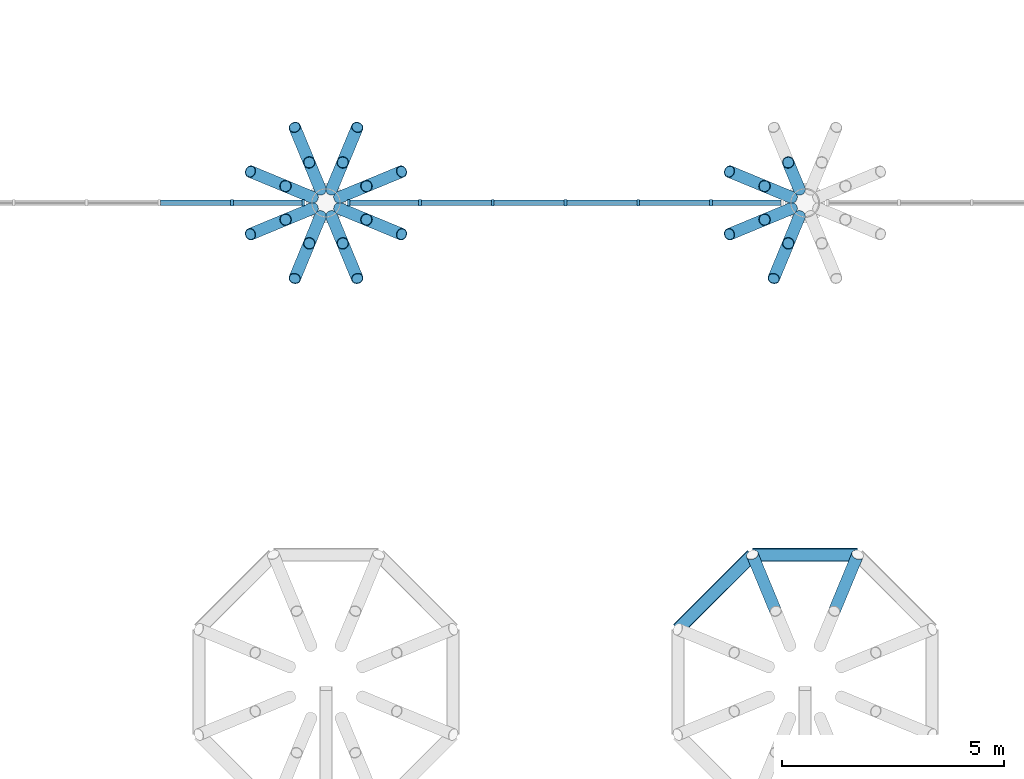
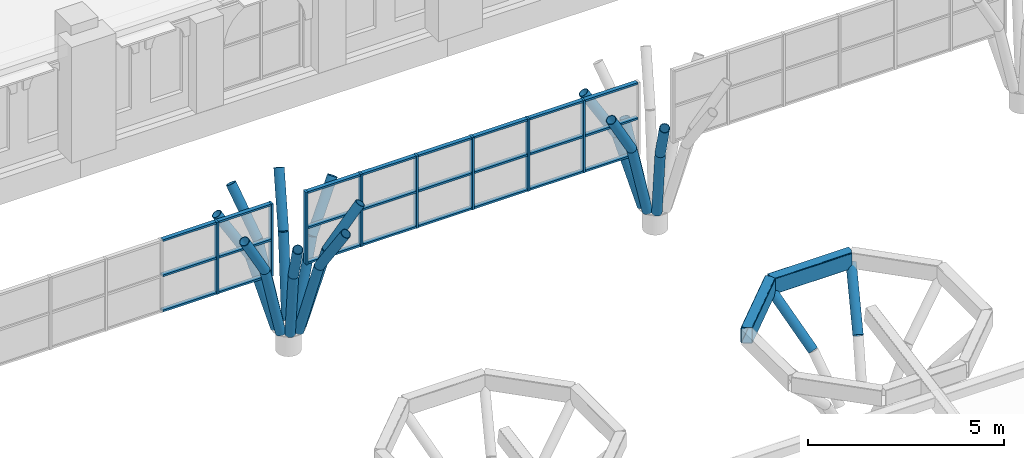
# One storey, part 9 of 42: 57 members, 2 beams, 2 elements without a shape of their own.
"""IFC4 building model written with IfcOpenShell, lengths in metres."""

from ifc_helpers import new_model, si_unit, direction, frame, origin, origin_2d, place, context, subcontext, project, spatial, rectangle, hollow_rectangle, hollow_circle, extrude, clip, halfspace, material, layer, layer_set, material_profile, profile_set, type_object, element, aggregate, save


model = new_model("IFC4")

# Units and contexts
model_context = context("Model", 3, precision=1e-05, world=origin(), true_north=direction((0.0, 1.0)))
body_context = subcontext(model_context, "Body", "Model", "MODEL_VIEW")
ifc_project = project(units=[si_unit("LENGTHUNIT", "METRE"), si_unit("AREAUNIT", "SQUARE_METRE"), si_unit("VOLUMEUNIT", "CUBIC_METRE"), si_unit("PLANEANGLEUNIT", "RADIAN"), si_unit("MASSUNIT", "GRAM", prefix="KILO")], contexts=[model_context])

# Site, building, storey
site_placement = place(None, origin())
site = spatial("IfcSite", under=ifc_project, at=site_placement, CompositionType="ELEMENT")
building_placement = place(site_placement, origin())
building = spatial("IfcBuilding", under=site, at=building_placement, Name="Magnolia Steps Interchange", CompositionType="ELEMENT")
storey_placement = place(building_placement, frame((0.0, 0.0, 12.60009765625)))
storey = spatial("IfcBuildingStorey", under=building, at=storey_placement, Name="L03", CompositionType="ELEMENT", Elevation=12.60009765625)

# Curtain wall, members
ifc_material_1 = material(Name="Powder-coated aluminium and glass", Category="aluminium")
ifc_layer = layer(ifc_material_1, 0.1201171875)
ifc_layer_set = layer_set([ifc_layer], Name="Hall clerestory curtain wall")
curtain_wall_type = type_object("IfcCurtainWallType", Name="Hall clerestory curtain wall", PredefinedType="NOTDEFINED", material=ifc_layer_set)
curtain_wall_1_placement = place(storey_placement, origin())
curtain_wall_1 = element("IfcCurtainWall", 1, at=curtain_wall_1_placement, inside=storey, type_object=curtain_wall_type, Name="Hall clerestory N3", PredefinedType="NOTDEFINED")
ifc_material_2 = material(Name="White powder-coated aluminium", Category="aluminium")
ifc_material_profile_1 = material_profile(ifc_material_2, rectangle(XDim=0.06005859375, YDim=0.14990234375, at=origin_2d()), Name="Aluminium mullion 60 x 150")
ifc_profile_set_1 = profile_set([ifc_material_profile_1], Name="White powder-coated aluminium")
member_type_1 = type_object("IfcMemberType", Name="Aluminium mullion 60 x 150", PredefinedType="MULLION", material=ifc_profile_set_1)
member_1_placement = place(storey_placement, frame((83.47998046875, 85.60009765625, 2.5), z_axis=(0.0, 0.0, 1.0), x_axis=(1.0, 0.0, 0.0)))
member_1 = element("IfcMember", 2, at=member_1_placement, type_object=member_type_1, Name="CW6 mullion 6", PredefinedType="MULLION", context=body_context, shape_type="SweptSolid", body=[
    extrude(rectangle(XDim=0.06005859375, YDim=0.14990234375, at=origin_2d()), origin(), (0.0, 0.0, 1.0), 2.251220703125),
])
member_2_placement = place(storey_placement, frame((85.090087890625, 85.60009765625, 2.5), z_axis=(0.0, 0.0, 1.0), x_axis=(1.0, 0.0, 0.0)))
member_2 = element("IfcMember", 3, at=member_2_placement, type_object=member_type_1, Name="CW6 mullion 7", PredefinedType="MULLION", context=body_context, shape_type="SweptSolid", body=[
    extrude(rectangle(XDim=0.06005859375, YDim=0.14990234375, at=origin_2d()), origin(), (0.0, 0.0, 1.0), 2.251220703125),
])

curtain_wall_2_placement = place(storey_placement, origin())
curtain_wall_2 = element("IfcCurtainWall", 4, at=curtain_wall_2_placement, inside=storey, type_object=curtain_wall_type, Name="Hall clerestory N4", PredefinedType="NOTDEFINED")
member_3_placement = place(storey_placement, frame((86.110107421875, 85.60009765625, 2.5), z_axis=(0.0, 0.0, 1.0), x_axis=(1.0, 0.0, 0.0)))
member_3 = element("IfcMember", 5, at=member_3_placement, type_object=member_type_1, Name="CW6 mullion 1", PredefinedType="MULLION", context=body_context, shape_type="SweptSolid", body=[
    extrude(rectangle(XDim=0.06005859375, YDim=0.14990234375, at=origin_2d()), origin(), (0.0, 0.0, 1.0), 2.251220703125),
])
member_4_placement = place(storey_placement, frame((87.719970703125, 85.60009765625, 2.5), z_axis=(0.0, 0.0, 1.0), x_axis=(1.0, 0.0, 0.0)))
member_4 = element("IfcMember", 6, at=member_4_placement, type_object=member_type_1, Name="CW6 mullion 2", PredefinedType="MULLION", context=body_context, shape_type="SweptSolid", body=[
    extrude(rectangle(XDim=0.06005859375, YDim=0.14990234375, at=origin_2d()), origin(), (0.0, 0.0, 1.0), 2.251220703125),
])
member_5_placement = place(storey_placement, frame((89.360107421875, 85.60009765625, 2.5), z_axis=(0.0, 0.0, 1.0), x_axis=(1.0, 0.0, 0.0)))
member_5 = element("IfcMember", 7, at=member_5_placement, type_object=member_type_1, Name="CW6 mullion 3", PredefinedType="MULLION", context=body_context, shape_type="SweptSolid", body=[
    extrude(rectangle(XDim=0.06005859375, YDim=0.14990234375, at=origin_2d()), origin(), (0.0, 0.0, 1.0), 2.251220703125),
])
member_6_placement = place(storey_placement, frame((91.0, 85.60009765625, 2.5), z_axis=(0.0, 0.0, 1.0), x_axis=(1.0, 0.0, 0.0)))
member_6 = element("IfcMember", 8, at=member_6_placement, type_object=member_type_1, Name="CW6 mullion 4", PredefinedType="MULLION", context=body_context, shape_type="SweptSolid", body=[
    extrude(rectangle(XDim=0.06005859375, YDim=0.14990234375, at=origin_2d()), origin(), (0.0, 0.0, 1.0), 2.251220703125),
])
member_7_placement = place(storey_placement, frame((92.639892578125, 85.60009765625, 2.5), z_axis=(0.0, 0.0, 1.0), x_axis=(1.0, 0.0, 0.0)))
member_7 = element("IfcMember", 9, at=member_7_placement, type_object=member_type_1, Name="CW6 mullion 5", PredefinedType="MULLION", context=body_context, shape_type="SweptSolid", body=[
    extrude(rectangle(XDim=0.06005859375, YDim=0.14990234375, at=origin_2d()), origin(), (0.0, 0.0, 1.0), 2.251220703125),
])
member_8_placement = place(storey_placement, frame((94.280029296875, 85.60009765625, 2.5), z_axis=(0.0, 0.0, 1.0), x_axis=(1.0, 0.0, 0.0)))
member_8 = element("IfcMember", 10, at=member_8_placement, type_object=member_type_1, Name="CW6 mullion 6", PredefinedType="MULLION", context=body_context, shape_type="SweptSolid", body=[
    extrude(rectangle(XDim=0.06005859375, YDim=0.14990234375, at=origin_2d()), origin(), (0.0, 0.0, 1.0), 2.251220703125),
])

# Member
ifc_material_3 = material(Name="White powder-coated aluminium", Category="aluminium")
ifc_material_profile_2 = material_profile(ifc_material_3, rectangle(XDim=0.06005859375, YDim=0.1201171875, at=origin_2d()), Name="Aluminium transom 60 x 120")
ifc_profile_set_2 = profile_set([ifc_material_profile_2], Name="White powder-coated aluminium")
member_type_2 = type_object("IfcMemberType", Name="Aluminium transom 60 x 120", PredefinedType="USERDEFINED", material=ifc_profile_set_2)
member_9_placement = place(storey_placement, frame((81.8701171875, 85.60009765625, 2.52978515625), z_axis=(1.0, 0.0, 0.0), x_axis=(0.0, 0.0, 1.0)))
member_9 = element("IfcMember", 11, at=member_9_placement, type_object=member_type_2, Name="CW6 transom 5.1", ObjectType="TRANSOM", PredefinedType="USERDEFINED", context=body_context, shape_type="SweptSolid", body=[
    extrude(rectangle(XDim=0.06005859375, YDim=0.1201171875, at=origin_2d()), origin(), (0.0, 0.0, 1.0), 1.579833984375),
])

member_10_placement = place(storey_placement, frame((81.8701171875, 85.60009765625, 3.62548828125), z_axis=(1.0, 0.0, 0.0), x_axis=(0.0, 0.0, 1.0)))
member_10 = element("IfcMember", 12, at=member_10_placement, type_object=member_type_2, Name="CW6 transom 5.2", ObjectType="TRANSOM", PredefinedType="USERDEFINED", context=body_context, shape_type="SweptSolid", body=[
    extrude(rectangle(XDim=0.06005859375, YDim=0.1201171875, at=origin_2d()), origin(), (0.0, 0.0, 1.0), 1.579833984375),
])

member_11_placement = place(storey_placement, frame((81.8701171875, 85.60009765625, 4.72119140625), z_axis=(1.0, 0.0, 0.0), x_axis=(0.0, 0.0, 1.0)))
member_11 = element("IfcMember", 13, at=member_11_placement, type_object=member_type_2, Name="CW6 transom 5.3", ObjectType="TRANSOM", PredefinedType="USERDEFINED", context=body_context, shape_type="SweptSolid", body=[
    extrude(rectangle(XDim=0.06005859375, YDim=0.1201171875, at=origin_2d()), origin(), (0.0, 0.0, 1.0), 1.579833984375),
])

member_12_placement = place(storey_placement, frame((83.510009765625, 85.60009765625, 2.52978515625), z_axis=(1.0, 0.0, 0.0), x_axis=(0.0, 0.0, 1.0)))
member_12 = element("IfcMember", 14, at=member_12_placement, type_object=member_type_2, Name="CW6 transom 6.1", ObjectType="TRANSOM", PredefinedType="USERDEFINED", context=body_context, shape_type="SweptSolid", body=[
    extrude(rectangle(XDim=0.06005859375, YDim=0.1201171875, at=origin_2d()), origin(), (0.0, 0.0, 1.0), 1.550048828125),
])

member_13_placement = place(storey_placement, frame((83.510009765625, 85.60009765625, 3.62548828125), z_axis=(1.0, 0.0, 0.0), x_axis=(0.0, 0.0, 1.0)))
member_13 = element("IfcMember", 15, at=member_13_placement, type_object=member_type_2, Name="CW6 transom 6.2", ObjectType="TRANSOM", PredefinedType="USERDEFINED", context=body_context, shape_type="SweptSolid", body=[
    extrude(rectangle(XDim=0.06005859375, YDim=0.1201171875, at=origin_2d()), origin(), (0.0, 0.0, 1.0), 1.550048828125),
])

member_14_placement = place(storey_placement, frame((83.510009765625, 85.60009765625, 4.72119140625), z_axis=(1.0, 0.0, 0.0), x_axis=(0.0, 0.0, 1.0)))
member_14 = element("IfcMember", 16, at=member_14_placement, type_object=member_type_2, Name="CW6 transom 6.3", ObjectType="TRANSOM", PredefinedType="USERDEFINED", context=body_context, shape_type="SweptSolid", body=[
    extrude(rectangle(XDim=0.06005859375, YDim=0.1201171875, at=origin_2d()), origin(), (0.0, 0.0, 1.0), 1.550048828125),
])

aggregate(curtain_wall_1, [member_1, member_2, member_9, member_10, member_11, member_12, member_13, member_14])

member_15_placement = place(storey_placement, frame((86.139892578125, 85.60009765625, 2.52978515625), z_axis=(1.0, 0.0, 0.0), x_axis=(0.0, 0.0, 1.0)))
member_15 = element("IfcMember", 17, at=member_15_placement, type_object=member_type_2, Name="CW6 transom 1.1", ObjectType="TRANSOM", PredefinedType="USERDEFINED", context=body_context, shape_type="SweptSolid", body=[
    extrude(rectangle(XDim=0.06005859375, YDim=0.1201171875, at=origin_2d()), origin(), (0.0, 0.0, 1.0), 1.550048828125),
])

member_16_placement = place(storey_placement, frame((86.139892578125, 85.60009765625, 3.62548828125), z_axis=(1.0, 0.0, 0.0), x_axis=(0.0, 0.0, 1.0)))
member_16 = element("IfcMember", 18, at=member_16_placement, type_object=member_type_2, Name="CW6 transom 1.2", ObjectType="TRANSOM", PredefinedType="USERDEFINED", context=body_context, shape_type="SweptSolid", body=[
    extrude(rectangle(XDim=0.06005859375, YDim=0.1201171875, at=origin_2d()), origin(), (0.0, 0.0, 1.0), 1.550048828125),
])

member_17_placement = place(storey_placement, frame((86.139892578125, 85.60009765625, 4.72119140625), z_axis=(1.0, 0.0, 0.0), x_axis=(0.0, 0.0, 1.0)))
member_17 = element("IfcMember", 19, at=member_17_placement, type_object=member_type_2, Name="CW6 transom 1.3", ObjectType="TRANSOM", PredefinedType="USERDEFINED", context=body_context, shape_type="SweptSolid", body=[
    extrude(rectangle(XDim=0.06005859375, YDim=0.1201171875, at=origin_2d()), origin(), (0.0, 0.0, 1.0), 1.550048828125),
])

member_18_placement = place(storey_placement, frame((87.75, 85.60009765625, 2.52978515625), z_axis=(1.0, 0.0, 0.0), x_axis=(0.0, 0.0, 1.0)))
member_18 = element("IfcMember", 20, at=member_18_placement, type_object=member_type_2, Name="CW6 transom 2.1", ObjectType="TRANSOM", PredefinedType="USERDEFINED", context=body_context, shape_type="SweptSolid", body=[
    extrude(rectangle(XDim=0.06005859375, YDim=0.1201171875, at=origin_2d()), origin(), (0.0, 0.0, 1.0), 1.580078125),
])

member_19_placement = place(storey_placement, frame((87.75, 85.60009765625, 3.62548828125), z_axis=(1.0, 0.0, 0.0), x_axis=(0.0, 0.0, 1.0)))
member_19 = element("IfcMember", 21, at=member_19_placement, type_object=member_type_2, Name="CW6 transom 2.2", ObjectType="TRANSOM", PredefinedType="USERDEFINED", context=body_context, shape_type="SweptSolid", body=[
    extrude(rectangle(XDim=0.06005859375, YDim=0.1201171875, at=origin_2d()), origin(), (0.0, 0.0, 1.0), 1.580078125),
])

member_20_placement = place(storey_placement, frame((87.75, 85.60009765625, 4.72119140625), z_axis=(1.0, 0.0, 0.0), x_axis=(0.0, 0.0, 1.0)))
member_20 = element("IfcMember", 22, at=member_20_placement, type_object=member_type_2, Name="CW6 transom 2.3", ObjectType="TRANSOM", PredefinedType="USERDEFINED", context=body_context, shape_type="SweptSolid", body=[
    extrude(rectangle(XDim=0.06005859375, YDim=0.1201171875, at=origin_2d()), origin(), (0.0, 0.0, 1.0), 1.580078125),
])

member_21_placement = place(storey_placement, frame((89.389892578125, 85.60009765625, 2.52978515625), z_axis=(1.0, 0.0, 0.0), x_axis=(0.0, 0.0, 1.0)))
member_21 = element("IfcMember", 23, at=member_21_placement, type_object=member_type_2, Name="CW6 transom 3.1", ObjectType="TRANSOM", PredefinedType="USERDEFINED", context=body_context, shape_type="SweptSolid", body=[
    extrude(rectangle(XDim=0.06005859375, YDim=0.1201171875, at=origin_2d()), origin(), (0.0, 0.0, 1.0), 1.580078125),
])

member_22_placement = place(storey_placement, frame((89.389892578125, 85.60009765625, 3.62548828125), z_axis=(1.0, 0.0, 0.0), x_axis=(0.0, 0.0, 1.0)))
member_22 = element("IfcMember", 24, at=member_22_placement, type_object=member_type_2, Name="CW6 transom 3.2", ObjectType="TRANSOM", PredefinedType="USERDEFINED", context=body_context, shape_type="SweptSolid", body=[
    extrude(rectangle(XDim=0.06005859375, YDim=0.1201171875, at=origin_2d()), origin(), (0.0, 0.0, 1.0), 1.580078125),
])

member_23_placement = place(storey_placement, frame((89.389892578125, 85.60009765625, 4.72119140625), z_axis=(1.0, 0.0, 0.0), x_axis=(0.0, 0.0, 1.0)))
member_23 = element("IfcMember", 25, at=member_23_placement, type_object=member_type_2, Name="CW6 transom 3.3", ObjectType="TRANSOM", PredefinedType="USERDEFINED", context=body_context, shape_type="SweptSolid", body=[
    extrude(rectangle(XDim=0.06005859375, YDim=0.1201171875, at=origin_2d()), origin(), (0.0, 0.0, 1.0), 1.580078125),
])

member_24_placement = place(storey_placement, frame((91.030029296875, 85.60009765625, 2.52978515625), z_axis=(1.0, 0.0, 0.0), x_axis=(0.0, 0.0, 1.0)))
member_24 = element("IfcMember", 26, at=member_24_placement, type_object=member_type_2, Name="CW6 transom 4.1", ObjectType="TRANSOM", PredefinedType="USERDEFINED", context=body_context, shape_type="SweptSolid", body=[
    extrude(rectangle(XDim=0.06005859375, YDim=0.1201171875, at=origin_2d()), origin(), (0.0, 0.0, 1.0), 1.580078125),
])

member_25_placement = place(storey_placement, frame((91.030029296875, 85.60009765625, 3.62548828125), z_axis=(1.0, 0.0, 0.0), x_axis=(0.0, 0.0, 1.0)))
member_25 = element("IfcMember", 27, at=member_25_placement, type_object=member_type_2, Name="CW6 transom 4.2", ObjectType="TRANSOM", PredefinedType="USERDEFINED", context=body_context, shape_type="SweptSolid", body=[
    extrude(rectangle(XDim=0.06005859375, YDim=0.1201171875, at=origin_2d()), origin(), (0.0, 0.0, 1.0), 1.580078125),
])

member_26_placement = place(storey_placement, frame((91.030029296875, 85.60009765625, 4.72119140625), z_axis=(1.0, 0.0, 0.0), x_axis=(0.0, 0.0, 1.0)))
member_26 = element("IfcMember", 28, at=member_26_placement, type_object=member_type_2, Name="CW6 transom 4.3", ObjectType="TRANSOM", PredefinedType="USERDEFINED", context=body_context, shape_type="SweptSolid", body=[
    extrude(rectangle(XDim=0.06005859375, YDim=0.1201171875, at=origin_2d()), origin(), (0.0, 0.0, 1.0), 1.580078125),
])

member_27_placement = place(storey_placement, frame((92.669921875, 85.60009765625, 2.52978515625), z_axis=(1.0, 0.0, 0.0), x_axis=(0.0, 0.0, 1.0)))
member_27 = element("IfcMember", 29, at=member_27_placement, type_object=member_type_2, Name="CW6 transom 5.1", ObjectType="TRANSOM", PredefinedType="USERDEFINED", context=body_context, shape_type="SweptSolid", body=[
    extrude(rectangle(XDim=0.06005859375, YDim=0.1201171875, at=origin_2d()), origin(), (0.0, 0.0, 1.0), 1.580078125),
])

member_28_placement = place(storey_placement, frame((92.669921875, 85.60009765625, 3.62548828125), z_axis=(1.0, 0.0, 0.0), x_axis=(0.0, 0.0, 1.0)))
member_28 = element("IfcMember", 30, at=member_28_placement, type_object=member_type_2, Name="CW6 transom 5.2", ObjectType="TRANSOM", PredefinedType="USERDEFINED", context=body_context, shape_type="SweptSolid", body=[
    extrude(rectangle(XDim=0.06005859375, YDim=0.1201171875, at=origin_2d()), origin(), (0.0, 0.0, 1.0), 1.580078125),
])

member_29_placement = place(storey_placement, frame((92.669921875, 85.60009765625, 4.72119140625), z_axis=(1.0, 0.0, 0.0), x_axis=(0.0, 0.0, 1.0)))
member_29 = element("IfcMember", 31, at=member_29_placement, type_object=member_type_2, Name="CW6 transom 5.3", ObjectType="TRANSOM", PredefinedType="USERDEFINED", context=body_context, shape_type="SweptSolid", body=[
    extrude(rectangle(XDim=0.06005859375, YDim=0.1201171875, at=origin_2d()), origin(), (0.0, 0.0, 1.0), 1.580078125),
])

member_30_placement = place(storey_placement, frame((94.31005859375, 85.60009765625, 2.52978515625), z_axis=(1.0, 0.0, 0.0), x_axis=(0.0, 0.0, 1.0)))
member_30 = element("IfcMember", 32, at=member_30_placement, type_object=member_type_2, Name="CW6 transom 6.1", ObjectType="TRANSOM", PredefinedType="USERDEFINED", context=body_context, shape_type="SweptSolid", body=[
    extrude(rectangle(XDim=0.06005859375, YDim=0.1201171875, at=origin_2d()), origin(), (0.0, 0.0, 1.0), 1.550048828125),
])

member_31_placement = place(storey_placement, frame((94.31005859375, 85.60009765625, 3.62548828125), z_axis=(1.0, 0.0, 0.0), x_axis=(0.0, 0.0, 1.0)))
member_31 = element("IfcMember", 33, at=member_31_placement, type_object=member_type_2, Name="CW6 transom 6.2", ObjectType="TRANSOM", PredefinedType="USERDEFINED", context=body_context, shape_type="SweptSolid", body=[
    extrude(rectangle(XDim=0.06005859375, YDim=0.1201171875, at=origin_2d()), origin(), (0.0, 0.0, 1.0), 1.550048828125),
])

member_32_placement = place(storey_placement, frame((94.31005859375, 85.60009765625, 4.72119140625), z_axis=(1.0, 0.0, 0.0), x_axis=(0.0, 0.0, 1.0)))
member_32 = element("IfcMember", 34, at=member_32_placement, type_object=member_type_2, Name="CW6 transom 6.3", ObjectType="TRANSOM", PredefinedType="USERDEFINED", context=body_context, shape_type="SweptSolid", body=[
    extrude(rectangle(XDim=0.06005859375, YDim=0.1201171875, at=origin_2d()), origin(), (0.0, 0.0, 1.0), 1.550048828125),
])

aggregate(curtain_wall_2, [member_3, member_4, member_5, member_6, member_7, member_8, member_15, member_16, member_17, member_18, member_19, member_20, member_21, member_22, member_23, member_24, member_25, member_26, member_27, member_28, member_29, member_30, member_31, member_32])

# Beams
ifc_material_4 = material(Name="Steel Q355B", Category="steel")
ifc_material_profile_3 = material_profile(ifc_material_4, hollow_rectangle(XDim=0.300048828125, YDim=0.5, WallThickness=0.01611328125, InnerFilletRadius=0.01611328125, OuterFilletRadius=0.031982421875, at=origin_2d()), Name="RHS500x300x16")
ifc_profile_set_3 = profile_set([ifc_material_profile_3], Name="Steel Q355B")
beam_type = type_object("IfcBeamType", Name="Ring beam RHS500x300x16", PredefinedType="BEAM", material=ifc_profile_set_3)
beam_1_placement = place(storey_placement, frame((97.586181640625, 77.6640625, 3.4755859375), z_axis=(-1.0, 0.0, 0.0), x_axis=(0.0, -1.0, 0.0)))
element("IfcBeam", 35, at=beam_1_placement, inside=storey, type_object=beam_type, Name="Ring beam TH05D", PredefinedType="BEAM", context=body_context, shape_type="Clipping", body=[
    clip(clip(extrude(hollow_rectangle(XDim=0.300048828125, YDim=0.5, WallThickness=0.01611328125, InnerFilletRadius=0.01611328125, OuterFilletRadius=0.031982421875, at=origin_2d()), origin(), (0.0, 0.0, 1.0), 2.37255859375), halfspace(frame((0.0, 0.0, 0.0), z_axis=(0.382683432, 0.0, -0.923879533), x_axis=(0.923879533, 0.0, 0.382683432)), False)), halfspace(frame((0.0, 0.0, 2.372558594), z_axis=(0.382683432, 0.0, 0.923879533), x_axis=(0.923879533, 0.0, -0.382683432)), False)),
])
beam_2_placement = place(storey_placement, frame((95.213623046875, 77.6640625, 3.4755859375), z_axis=(-0.707106781187, -0.707106781187, 0.0), x_axis=(0.707106781187, -0.707106781187, 0.0)))
element("IfcBeam", 36, at=beam_2_placement, inside=storey, type_object=beam_type, Name="Ring beam TH05D", PredefinedType="BEAM", context=body_context, shape_type="Clipping", body=[
    clip(clip(extrude(hollow_rectangle(XDim=0.300048828125, YDim=0.5, WallThickness=0.01611328125, InnerFilletRadius=0.01611328125, OuterFilletRadius=0.031982421875, at=origin_2d()), origin(), (0.0, 0.0, 1.0), 2.37255859375), halfspace(frame((0.0, 0.0, 0.0), z_axis=(0.382683433, 0.0, -0.923879532), x_axis=(0.923879532, 0.0, 0.382683433)), False)), halfspace(frame((0.0, 0.0, 2.372674707), z_axis=(0.382683433, 0.0, 0.923879532), x_axis=(0.923879532, 0.0, -0.382683433)), False)),
])

# Members
ifc_material_5 = material(Name="Steel Q355B", Category="steel")
ifc_material_profile_4 = material_profile(ifc_material_5, hollow_circle(Radius=0.136474609375, WallThickness=0.013916015625, at=origin_2d()), Name="CHS273x14")
ifc_profile_set_4 = profile_set([ifc_material_profile_4], Name="Steel Q355B")
member_type_3 = type_object("IfcMemberType", Name="Tree rib CHS273x14", PredefinedType="USERDEFINED", material=ifc_profile_set_4)
member_33_placement = place(storey_placement, frame((85.90478515625, 85.726318359375, 0.72119140625), z_axis=(0.254701340525, 0.105485476775, 0.961249208751), x_axis=(-0.382636144688, 0.923899118291, 0.0)))
element("IfcMember", 37, at=member_33_placement, inside=storey, type_object=member_type_3, Name="Tree rib TH04E", ObjectType="TREE RIB", PredefinedType="USERDEFINED", context=body_context, shape_type="SweptSolid", body=[
    extrude(hollow_circle(Radius=0.136474609375, WallThickness=0.013916015625, at=origin_2d()), origin(), (0.0, 0.0, 1.0), 2.3837890625),
])
member_34_placement = place(storey_placement, frame((86.511962890625, 85.977783203125, 3.0126953125), z_axis=(0.489571014481, 0.202820124805, 0.848047297475), x_axis=(-0.382736860682, 0.923857399968, 0.0)))
element("IfcMember", 38, at=member_34_placement, inside=storey, type_object=member_type_3, Name="Tree rib TH04E", ObjectType="TREE RIB", PredefinedType="USERDEFINED", context=body_context, shape_type="SweptSolid", body=[
    extrude(hollow_circle(Radius=0.136474609375, WallThickness=0.013916015625, at=origin_2d()), origin(), (0.0, 0.0, 1.0), 1.6201171875),
])
member_35_placement = place(storey_placement, frame((85.726318359375, 85.90478515625, 0.72119140625), z_axis=(0.105485476775, 0.254701340525, 0.961249208751), x_axis=(-0.923899118291, 0.382636144688, 0.0)))
element("IfcMember", 39, at=member_35_placement, inside=storey, type_object=member_type_3, Name="Tree rib TH04E", ObjectType="TREE RIB", PredefinedType="USERDEFINED", context=body_context, shape_type="SweptSolid", body=[
    extrude(hollow_circle(Radius=0.136474609375, WallThickness=0.013916015625, at=origin_2d()), origin(), (0.0, 0.0, 1.0), 2.3837890625),
])
member_36_placement = place(storey_placement, frame((85.977783203125, 86.511962890625, 3.0126953125), z_axis=(0.202820124805, 0.489571014481, 0.848047297475), x_axis=(-0.923857399968, 0.382736860682, 0.0)))
element("IfcMember", 40, at=member_36_placement, inside=storey, type_object=member_type_3, Name="Tree rib TH04E", ObjectType="TREE RIB", PredefinedType="USERDEFINED", context=body_context, shape_type="SweptSolid", body=[
    extrude(hollow_circle(Radius=0.136474609375, WallThickness=0.013916015625, at=origin_2d()), origin(), (0.0, 0.0, 1.0), 1.6201171875),
])
member_37_placement = place(storey_placement, frame((85.4736328125, 85.90478515625, 0.72119140625), z_axis=(-0.10538420162, 0.254704090796, 0.961259588343), x_axis=(-0.924030411119, -0.382318975891, 0.0)))
element("IfcMember", 41, at=member_37_placement, inside=storey, type_object=member_type_3, Name="Tree rib TH04E", ObjectType="TREE RIB", PredefinedType="USERDEFINED", context=body_context, shape_type="SweptSolid", body=[
    extrude(hollow_circle(Radius=0.136474609375, WallThickness=0.013916015625, at=origin_2d()), origin(), (0.0, 0.0, 1.0), 2.3837890625),
])
member_38_placement = place(storey_placement, frame((85.222412109375, 86.511962890625, 3.0126953125), z_axis=(-0.202820124805, 0.489571014481, 0.848047297475), x_axis=(-0.923857399968, -0.382736860682, 0.0)))
element("IfcMember", 42, at=member_38_placement, inside=storey, type_object=member_type_3, Name="Tree rib TH04E", ObjectType="TREE RIB", PredefinedType="USERDEFINED", context=body_context, shape_type="SweptSolid", body=[
    extrude(hollow_circle(Radius=0.136474609375, WallThickness=0.013916015625, at=origin_2d()), origin(), (0.0, 0.0, 1.0), 1.6201171875),
])
member_39_placement = place(storey_placement, frame((85.295166015625, 85.726318359375, 0.72119140625), z_axis=(-0.254701340525, 0.105485476775, 0.961249208751), x_axis=(-0.382636144688, -0.923899118291, 0.0)))
element("IfcMember", 43, at=member_39_placement, inside=storey, type_object=member_type_3, Name="Tree rib TH04E", ObjectType="TREE RIB", PredefinedType="USERDEFINED", context=body_context, shape_type="SweptSolid", body=[
    extrude(hollow_circle(Radius=0.136474609375, WallThickness=0.013916015625, at=origin_2d()), origin(), (0.0, 0.0, 1.0), 2.3837890625),
])
member_40_placement = place(storey_placement, frame((84.68798828125, 85.977783203125, 3.0126953125), z_axis=(-0.489571014481, 0.202820124805, 0.848047297475), x_axis=(-0.382736860682, -0.923857399968, 0.0)))
element("IfcMember", 44, at=member_40_placement, inside=storey, type_object=member_type_3, Name="Tree rib TH04E", ObjectType="TREE RIB", PredefinedType="USERDEFINED", context=body_context, shape_type="SweptSolid", body=[
    extrude(hollow_circle(Radius=0.136474609375, WallThickness=0.013916015625, at=origin_2d()), origin(), (0.0, 0.0, 1.0), 1.6201171875),
])
member_41_placement = place(storey_placement, frame((85.295166015625, 85.4736328125, 0.72119140625), z_axis=(-0.254704090796, -0.10538420162, 0.961259588343), x_axis=(0.382318975891, -0.924030411119, 0.0)))
element("IfcMember", 45, at=member_41_placement, inside=storey, type_object=member_type_3, Name="Tree rib TH04E", ObjectType="TREE RIB", PredefinedType="USERDEFINED", context=body_context, shape_type="SweptSolid", body=[
    extrude(hollow_circle(Radius=0.136474609375, WallThickness=0.013916015625, at=origin_2d()), origin(), (0.0, 0.0, 1.0), 2.3837890625),
])
member_42_placement = place(storey_placement, frame((84.68798828125, 85.222412109375, 3.0126953125), z_axis=(-0.489571014481, -0.202820124805, 0.848047297475), x_axis=(0.382736860682, -0.923857399968, 0.0)))
element("IfcMember", 46, at=member_42_placement, inside=storey, type_object=member_type_3, Name="Tree rib TH04E", ObjectType="TREE RIB", PredefinedType="USERDEFINED", context=body_context, shape_type="SweptSolid", body=[
    extrude(hollow_circle(Radius=0.136474609375, WallThickness=0.013916015625, at=origin_2d()), origin(), (0.0, 0.0, 1.0), 1.6201171875),
])
member_43_placement = place(storey_placement, frame((85.4736328125, 85.295166015625, 0.72119140625), z_axis=(-0.10538420162, -0.254704090796, 0.961259588343), x_axis=(0.924030411119, -0.382318975891, 0.0)))
element("IfcMember", 47, at=member_43_placement, inside=storey, type_object=member_type_3, Name="Tree rib TH04E", ObjectType="TREE RIB", PredefinedType="USERDEFINED", context=body_context, shape_type="SweptSolid", body=[
    extrude(hollow_circle(Radius=0.136474609375, WallThickness=0.013916015625, at=origin_2d()), origin(), (0.0, 0.0, 1.0), 2.3837890625),
])
member_44_placement = place(storey_placement, frame((85.222412109375, 84.68798828125, 3.0126953125), z_axis=(-0.202820124805, -0.489571014481, 0.848047297475), x_axis=(0.923857399968, -0.382736860682, 0.0)))
element("IfcMember", 48, at=member_44_placement, inside=storey, type_object=member_type_3, Name="Tree rib TH04E", ObjectType="TREE RIB", PredefinedType="USERDEFINED", context=body_context, shape_type="SweptSolid", body=[
    extrude(hollow_circle(Radius=0.136474609375, WallThickness=0.013916015625, at=origin_2d()), origin(), (0.0, 0.0, 1.0), 1.6201171875),
])
member_45_placement = place(storey_placement, frame((85.726318359375, 85.295166015625, 0.72119140625), z_axis=(0.105485476775, -0.254701340525, 0.961249208751), x_axis=(0.923899118291, 0.382636144688, 0.0)))
element("IfcMember", 49, at=member_45_placement, inside=storey, type_object=member_type_3, Name="Tree rib TH04E", ObjectType="TREE RIB", PredefinedType="USERDEFINED", context=body_context, shape_type="SweptSolid", body=[
    extrude(hollow_circle(Radius=0.136474609375, WallThickness=0.013916015625, at=origin_2d()), origin(), (0.0, 0.0, 1.0), 2.3837890625),
])
member_46_placement = place(storey_placement, frame((85.977783203125, 84.68798828125, 3.0126953125), z_axis=(0.202820124805, -0.489571014481, 0.848047297475), x_axis=(0.923857399968, 0.382736860682, 0.0)))
element("IfcMember", 50, at=member_46_placement, inside=storey, type_object=member_type_3, Name="Tree rib TH04E", ObjectType="TREE RIB", PredefinedType="USERDEFINED", context=body_context, shape_type="SweptSolid", body=[
    extrude(hollow_circle(Radius=0.136474609375, WallThickness=0.013916015625, at=origin_2d()), origin(), (0.0, 0.0, 1.0), 1.6201171875),
])
member_47_placement = place(storey_placement, frame((85.90478515625, 85.4736328125, 0.72119140625), z_axis=(0.254704090796, -0.10538420162, 0.961259588343), x_axis=(0.382318975891, 0.924030411119, 0.0)))
element("IfcMember", 51, at=member_47_placement, inside=storey, type_object=member_type_3, Name="Tree rib TH04E", ObjectType="TREE RIB", PredefinedType="USERDEFINED", context=body_context, shape_type="SweptSolid", body=[
    extrude(hollow_circle(Radius=0.136474609375, WallThickness=0.013916015625, at=origin_2d()), origin(), (0.0, 0.0, 1.0), 2.3837890625),
])
member_48_placement = place(storey_placement, frame((86.511962890625, 85.222412109375, 3.0126953125), z_axis=(0.489571014481, -0.202820124805, 0.848047297475), x_axis=(0.382736860682, 0.923857399968, 0.0)))
element("IfcMember", 52, at=member_48_placement, inside=storey, type_object=member_type_3, Name="Tree rib TH04E", ObjectType="TREE RIB", PredefinedType="USERDEFINED", context=body_context, shape_type="SweptSolid", body=[
    extrude(hollow_circle(Radius=0.136474609375, WallThickness=0.013916015625, at=origin_2d()), origin(), (0.0, 0.0, 1.0), 1.6201171875),
])
member_49_placement = place(storey_placement, frame((97.061279296875, 76.396484375, 2.00048828125), z_axis=(0.275207808016, 0.664594855451, 0.694675708885), x_axis=(-0.923917076656, 0.382592780202, 0.0)))
element("IfcMember", 53, at=member_49_placement, inside=storey, type_object=member_type_3, Name="Tree rib TH05D", ObjectType="TREE RIB", PredefinedType="USERDEFINED", context=body_context, shape_type="SweptSolid", body=[
    extrude(hollow_circle(Radius=0.136474609375, WallThickness=0.013916015625, at=origin_2d()), origin(), (0.0, 0.0, 1.0), 1.9072265625),
])
member_50_placement = place(storey_placement, frame((95.73876953125, 76.396484375, 2.00048828125), z_axis=(-0.275326110485, 0.664571439163, 0.694651232731), x_axis=(-0.923854165929, -0.382744666971, 0.0)))
element("IfcMember", 54, at=member_50_placement, inside=storey, type_object=member_type_3, Name="Tree rib TH05D", ObjectType="TREE RIB", PredefinedType="USERDEFINED", context=body_context, shape_type="SweptSolid", body=[
    extrude(hollow_circle(Radius=0.136474609375, WallThickness=0.013916015625, at=origin_2d()), origin(), (0.0, 0.0, 1.0), 1.907470703125),
])
for number, where, z_axis, x_axis, name in (
    (55, (96.273681640625, 85.90478515625, 0.72119140625), (-0.105485476775, 0.254701340525, 0.961249208751), (-0.923899118291, -0.382636144688, 0.0), "Tree rib TH05E"),
    (56, (96.09521484375, 85.726318359375, 0.72119140625), (-0.254701340525, 0.105485476775, 0.961249208751), (-0.382636144688, -0.923899118291, 0.0), "Tree rib TH05E"),
):
    element("IfcMember", number, at=place(storey_placement, frame(where, z_axis=z_axis, x_axis=x_axis)), inside=storey, type_object=member_type_3, Name=name, ObjectType="TREE RIB", PredefinedType="USERDEFINED", context=body_context, shape_type="SweptSolid", body=[
        extrude(hollow_circle(Radius=0.136474609375, WallThickness=0.013916015625, at=origin_2d()), origin(), (0.0, 0.0, 1.0), 2.3837890625),
    ])
member_51_placement = place(storey_placement, frame((95.488037109375, 85.977783203125, 3.0126953125), z_axis=(-0.489571014481, 0.202820124805, 0.848047297475), x_axis=(-0.382736860682, -0.923857399968, 0.0)))
element("IfcMember", 57, at=member_51_placement, inside=storey, type_object=member_type_3, Name="Tree rib TH05E", ObjectType="TREE RIB", PredefinedType="USERDEFINED", context=body_context, shape_type="SweptSolid", body=[
    extrude(hollow_circle(Radius=0.136474609375, WallThickness=0.013916015625, at=origin_2d()), origin(), (0.0, 0.0, 1.0), 1.6201171875),
])
member_52_placement = place(storey_placement, frame((96.09521484375, 85.4736328125, 0.72119140625), z_axis=(-0.254704090796, -0.10538420162, 0.961259588343), x_axis=(0.382318975891, -0.924030411119, 0.0)))
element("IfcMember", 58, at=member_52_placement, inside=storey, type_object=member_type_3, Name="Tree rib TH05E", ObjectType="TREE RIB", PredefinedType="USERDEFINED", context=body_context, shape_type="SweptSolid", body=[
    extrude(hollow_circle(Radius=0.136474609375, WallThickness=0.013916015625, at=origin_2d()), origin(), (0.0, 0.0, 1.0), 2.3837890625),
])
member_53_placement = place(storey_placement, frame((95.488037109375, 85.222412109375, 3.0126953125), z_axis=(-0.489571014481, -0.202820124805, 0.848047297475), x_axis=(0.382736860682, -0.923857399968, 0.0)))
element("IfcMember", 59, at=member_53_placement, inside=storey, type_object=member_type_3, Name="Tree rib TH05E", ObjectType="TREE RIB", PredefinedType="USERDEFINED", context=body_context, shape_type="SweptSolid", body=[
    extrude(hollow_circle(Radius=0.136474609375, WallThickness=0.013916015625, at=origin_2d()), origin(), (0.0, 0.0, 1.0), 1.6201171875),
])
member_54_placement = place(storey_placement, frame((96.273681640625, 85.295166015625, 0.72119140625), z_axis=(-0.105485476775, -0.254701340525, 0.961249208751), x_axis=(0.923899118291, -0.382636144688, 0.0)))
element("IfcMember", 60, at=member_54_placement, inside=storey, type_object=member_type_3, Name="Tree rib TH05E", ObjectType="TREE RIB", PredefinedType="USERDEFINED", context=body_context, shape_type="SweptSolid", body=[
    extrude(hollow_circle(Radius=0.136474609375, WallThickness=0.013916015625, at=origin_2d()), origin(), (0.0, 0.0, 1.0), 2.3837890625),
])
member_55_placement = place(storey_placement, frame((96.022216796875, 84.68798828125, 3.0126953125), z_axis=(-0.202820124805, -0.489571014481, 0.848047297475), x_axis=(0.923857399968, -0.382736860682, 0.0)))
element("IfcMember", 61, at=member_55_placement, inside=storey, type_object=member_type_3, Name="Tree rib TH05E", ObjectType="TREE RIB", PredefinedType="USERDEFINED", context=body_context, shape_type="SweptSolid", body=[
    extrude(hollow_circle(Radius=0.136474609375, WallThickness=0.013916015625, at=origin_2d()), origin(), (0.0, 0.0, 1.0), 1.6201171875),
])

save(model, "model.ifc")
